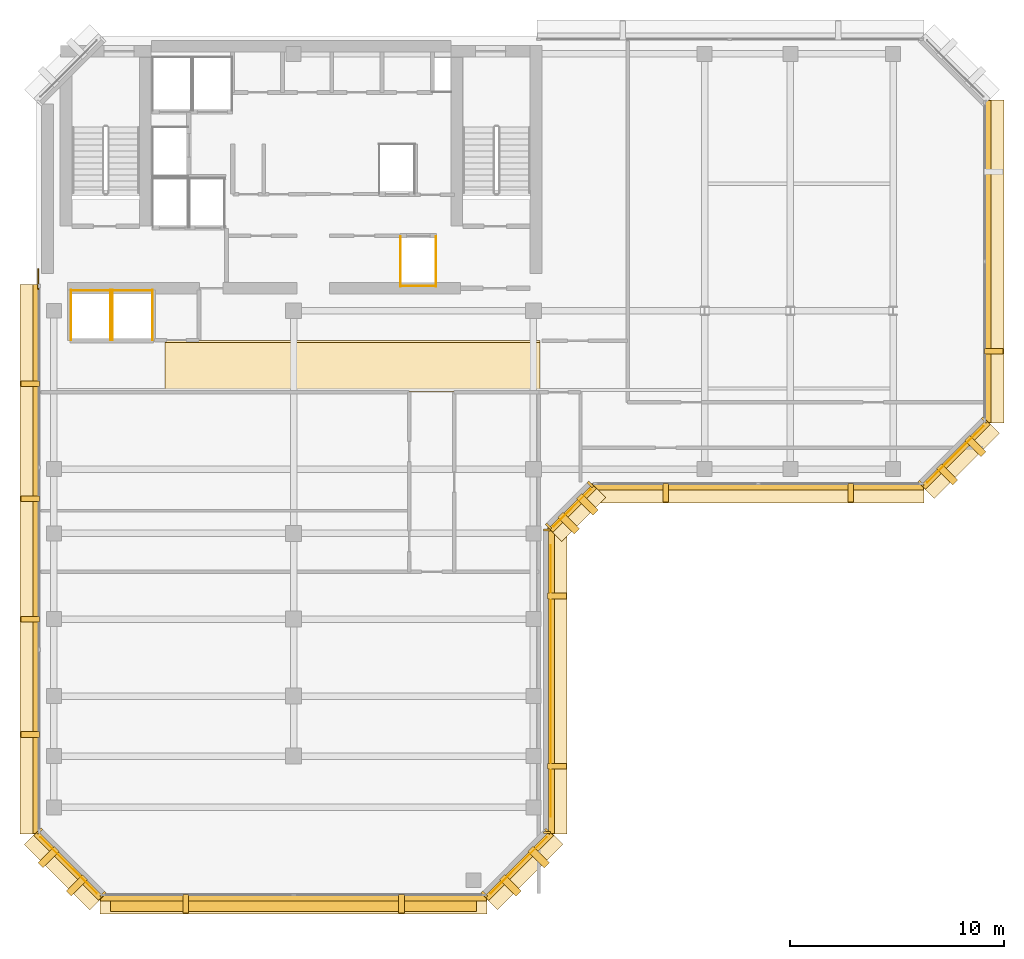
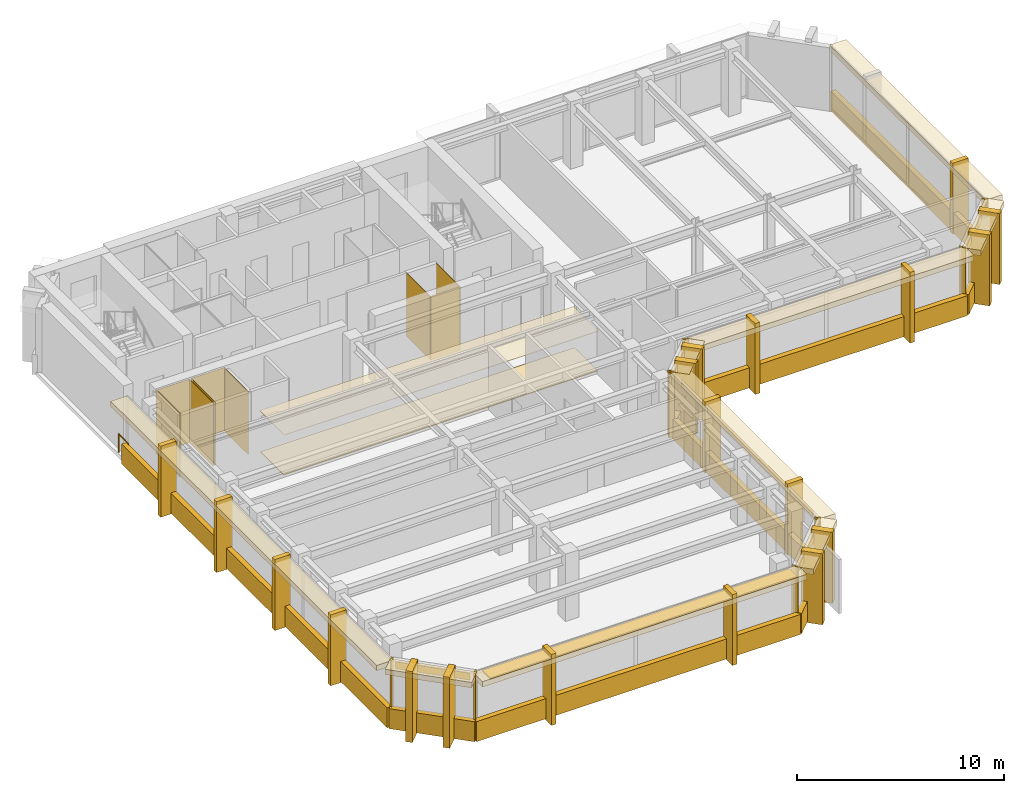
# One storey, part 9 of 11: 63 coverings, 1 railing, 1 shading device.
"""IFC4 building model written with IfcOpenShell, lengths in metres."""

from ifc_helpers import new_model, si_unit, direction, frame, origin, origin_2d, place, context, subcontext, project, spatial, polyline, rectangle, circle, outline, extrude, material, layer, layer_set, type_object, element, save


model = new_model("IFC4")

# Units and contexts
model_context = context("Model", 3, precision=1e-05, world=origin(), true_north=direction((0.0, 1.0)))
body_context = subcontext(model_context, "Body", "Model", "MODEL_VIEW")
ifc_project = project(units=[si_unit("LENGTHUNIT", "METRE"), si_unit("AREAUNIT", "SQUARE_METRE"), si_unit("VOLUMEUNIT", "CUBIC_METRE"), si_unit("PLANEANGLEUNIT", "RADIAN"), si_unit("MASSUNIT", "GRAM", prefix="KILO")], contexts=[model_context])

# Site, building, storey
site_placement = place(None, origin())
site = spatial("IfcSite", under=ifc_project, at=site_placement, CompositionType="ELEMENT")
building_placement = place(site_placement, origin())
building = spatial("IfcBuilding", under=site, at=building_placement, Name="Kefirva Bronze Tower", CompositionType="ELEMENT")
storey_placement = place(building_placement, frame((0.0, 0.0, 319.77001953125)))
storey = spatial("IfcBuildingStorey", under=building, at=storey_placement, Name="L78", CompositionType="ELEMENT", Elevation=319.77001953125)

# Coverings
ifc_material_1 = material(Name="Acoustic mineral tile")
ifc_layer_1 = layer(ifc_material_1, 0.02490234375, Name="Acoustic mineral tile")
ifc_layer_set_1 = layer_set([ifc_layer_1], Name="Acoustic mineral tile")
covering_type_1 = type_object("IfcCoveringType", Name="Acoustic Mineral Suspended Ceiling 25mm", PredefinedType="CEILING", material=ifc_layer_set_1)
covering_1_placement = place(storey_placement, frame((0.0, 0.0, 2.39990234375)))
element("IfcCovering", 1, at=covering_1_placement, inside=storey, type_object=covering_type_1, Name="L78 Corridor Acoustic Ceiling", PredefinedType="CEILING", context=body_context, shape_type="SweptSolid", body=[
    extrude(outline(polyline([(6.0, 29.39990234375), (23.5, 29.39990234375), (23.5, 31.800048828125), (6.0, 31.800048828125), (6.0, 29.39990234375)])), origin(), (0.0, 0.0, 1.0), 0.025146484375),
])
ifc_material_2 = material(Name="Bronze anodised aluminium", Category="aluminium")
ifc_layer_2 = layer(ifc_material_2, 0.02001953125, Name="Bronze anodised aluminium")
ifc_layer_set_2 = layer_set([ifc_layer_2], Name="Bronze anodised aluminium")
covering_type_2 = type_object("IfcCoveringType", Name="Anodised Bronze Spandrel Cladding 20mm", PredefinedType="CLADDING", material=ifc_layer_set_2)
covering_2_placement = place(storey_placement, frame((12.0, 5.760009765625, -0.16015625), z_axis=(0.0, 0.0, 1.0), x_axis=(1.0, 0.0, 0.0)))
element("IfcCovering", 2, at=covering_2_placement, inside=storey, type_object=covering_type_2, Name="L78 Streamline Horizontal Spandrel Band 0", PredefinedType="CLADDING", context=body_context, shape_type="SweptSolid", body=[
    extrude(rectangle(XDim=18.0400390625, YDim=0.280029296875, at=origin_2d()), origin(), (0.0, 0.0, 1.0), 1.179931640625),
])
covering_3_placement = place(storey_placement, frame((22.507080078125, 7.29296875, 3.320068359375), z_axis=(0.0, 0.0, 1.0), x_axis=(0.707106781187, 0.707106781187, 0.0)))
element("IfcCovering", 3, at=covering_3_placement, inside=storey, type_object=covering_type_2, Name="L78 Bronze Spandrel Cladding 1", PredefinedType="CLADDING", context=body_context, shape_type="SweptSolid", body=[
    extrude(rectangle(XDim=3.719482421875, YDim=0.02001953125, at=origin_2d()), origin(), (0.0, 0.0, 1.0), 0.39990234375),
])
for number, where, z_axis, x_axis, name in (
    (4, (20.91162109375, 5.93798828125, 0.0), (0.0, 0.0, 1.0), (0.707106781187, 0.707106781187, 0.0), "L78 Facade Joint Closure Panel 1S"),
    (5, (23.862060546875, 8.88818359375, 0.0), (0.0, 0.0, 1.0), (0.707106781187, 0.707106781187, 0.0), "L78 Facade Joint Closure Panel 1E"),
):
    element("IfcCovering", number, at=place(storey_placement, frame(where, z_axis=z_axis, x_axis=x_axis)), inside=storey, type_object=covering_type_2, Name=name, PredefinedType="CLADDING", context=body_context, shape_type="SweptSolid", body=[
        extrude(rectangle(XDim=0.10009765625, YDim=0.320068359375, at=origin_2d()), origin(), (0.0, 0.0, 1.0), 3.739990234375),
    ])
covering_4_placement = place(storey_placement, frame((22.5283203125, 7.271728515625, -0.16015625), z_axis=(0.0, 0.0, 1.0), x_axis=(0.707106781187, 0.707106781187, 0.0)))
element("IfcCovering", 6, at=covering_4_placement, inside=storey, type_object=covering_type_2, Name="L78 Streamline Horizontal Spandrel Band 1", PredefinedType="CLADDING", context=body_context, shape_type="SweptSolid", body=[
    extrude(rectangle(XDim=4.28271484375, YDim=0.280029296875, at=origin_2d()), origin(), (0.0, 0.0, 1.0), 1.179931640625),
])
covering_5_placement = place(storey_placement, frame((24.010009765625, 15.89990234375, 3.320068359375), z_axis=(0.0, 0.0, 1.0), x_axis=(0.0, 1.0, 0.0)))
element("IfcCovering", 7, at=covering_5_placement, inside=storey, type_object=covering_type_2, Name="L78 Bronze Spandrel Cladding 2", PredefinedType="CLADDING", context=body_context, shape_type="SweptSolid", body=[
    extrude(rectangle(XDim=12.680908203125, YDim=0.02001953125, at=origin_2d()), origin(), (0.0, 0.0, 1.0), 0.39990234375),
])
for number, where, z_axis, x_axis, name in (
    (8, (23.840087890625, 8.8349609375, 0.0), (0.0, 0.0, 1.0), (0.0, 1.0, 0.0), "L78 Facade Joint Closure Panel 2S"),
    (9, (23.840087890625, 22.965087890625, 0.0), (0.0, 0.0, 1.0), (0.0, 1.0, 0.0), "L78 Facade Joint Closure Panel 2E"),
):
    element("IfcCovering", number, at=place(storey_placement, frame(where, z_axis=z_axis, x_axis=x_axis)), inside=storey, type_object=covering_type_2, Name=name, PredefinedType="CLADDING", context=body_context, shape_type="SweptSolid", body=[
        extrude(rectangle(XDim=0.10009765625, YDim=0.320068359375, at=origin_2d()), origin(), (0.0, 0.0, 1.0), 3.739990234375),
    ])
covering_6_placement = place(storey_placement, frame((24.0400390625, 15.89990234375, -0.16015625), z_axis=(0.0, 0.0, 1.0), x_axis=(0.0, 1.0, 0.0)))
element("IfcCovering", 10, at=covering_6_placement, inside=storey, type_object=covering_type_2, Name="L78 Streamline Horizontal Spandrel Band 2", PredefinedType="CLADDING", context=body_context, shape_type="SweptSolid", body=[
    extrude(rectangle(XDim=14.239990234375, YDim=0.280029296875, at=origin_2d()), origin(), (0.0, 0.0, 1.0), 1.179931640625),
])
covering_7_placement = place(storey_placement, frame((25.007080078125, 23.992919921875, 3.320068359375), z_axis=(0.0, 0.0, 1.0), x_axis=(0.707106781187, 0.707106781187, 0.0)))
element("IfcCovering", 11, at=covering_7_placement, inside=storey, type_object=covering_type_2, Name="L78 Bronze Spandrel Cladding 3", PredefinedType="CLADDING", context=body_context, shape_type="SweptSolid", body=[
    extrude(rectangle(XDim=2.446533203125, YDim=0.02001953125, at=origin_2d()), origin(), (0.0, 0.0, 1.0), 0.39990234375),
])
for number, where, z_axis, x_axis, name in (
    (12, (23.91162109375, 23.137939453125, 0.0), (0.0, 0.0, 1.0), (0.707106781187, 0.707106781187, 0.0), "L78 Facade Joint Closure Panel 3S"),
    (13, (25.862060546875, 25.08837890625, 0.0), (0.0, 0.0, 1.0), (0.707106781187, 0.707106781187, 0.0), "L78 Facade Joint Closure Panel 3E"),
):
    element("IfcCovering", number, at=place(storey_placement, frame(where, z_axis=z_axis, x_axis=x_axis)), inside=storey, type_object=covering_type_2, Name=name, PredefinedType="CLADDING", context=body_context, shape_type="SweptSolid", body=[
        extrude(rectangle(XDim=0.10009765625, YDim=0.320068359375, at=origin_2d()), origin(), (0.0, 0.0, 1.0), 3.739990234375),
    ])
covering_8_placement = place(storey_placement, frame((25.0283203125, 23.9716796875, -0.16015625), z_axis=(0.0, 0.0, 1.0), x_axis=(0.707106781187, 0.707106781187, 0.0)))
element("IfcCovering", 14, at=covering_8_placement, inside=storey, type_object=covering_type_2, Name="L78 Streamline Horizontal Spandrel Band 3", PredefinedType="CLADDING", context=body_context, shape_type="SweptSolid", body=[
    extrude(rectangle(XDim=2.868408203125, YDim=0.280029296875, at=origin_2d()), origin(), (0.0, 0.0, 1.0), 1.179931640625),
])
covering_9_placement = place(storey_placement, frame((33.699951171875, 24.9599609375, -0.16015625), z_axis=(0.0, 0.0, 1.0), x_axis=(1.0, 0.0, 0.0)))
element("IfcCovering", 15, at=covering_9_placement, inside=storey, type_object=covering_type_2, Name="L78 Streamline Horizontal Spandrel Band 4", PredefinedType="CLADDING", context=body_context, shape_type="SweptSolid", body=[
    extrude(rectangle(XDim=15.43994140625, YDim=0.280029296875, at=origin_2d()), origin(), (0.0, 0.0, 1.0), 1.179931640625),
])
covering_10_placement = place(storey_placement, frame((42.906982421875, 26.492919921875, 3.320068359375), z_axis=(0.0, 0.0, 1.0), x_axis=(0.707106781187, 0.707106781187, 0.0)))
element("IfcCovering", 16, at=covering_10_placement, inside=storey, type_object=covering_type_2, Name="L78 Bronze Spandrel Cladding 4", PredefinedType="CLADDING", context=body_context, shape_type="SweptSolid", body=[
    extrude(rectangle(XDim=3.719482421875, YDim=0.02001953125, at=origin_2d()), origin(), (0.0, 0.0, 1.0), 0.39990234375),
])
for number, where, z_axis, x_axis, name in (
    (17, (41.311767578125, 25.137939453125, 0.0), (0.0, 0.0, 1.0), (0.707106781187, 0.707106781187, 0.0), "L78 Facade Joint Closure Panel 4S"),
    (18, (44.26220703125, 28.08837890625, 0.0), (0.0, 0.0, 1.0), (0.707106781187, 0.707106781187, 0.0), "L78 Facade Joint Closure Panel 4E"),
):
    element("IfcCovering", number, at=place(storey_placement, frame(where, z_axis=z_axis, x_axis=x_axis)), inside=storey, type_object=covering_type_2, Name=name, PredefinedType="CLADDING", context=body_context, shape_type="SweptSolid", body=[
        extrude(rectangle(XDim=0.10009765625, YDim=0.320068359375, at=origin_2d()), origin(), (0.0, 0.0, 1.0), 3.739990234375),
    ])
covering_11_placement = place(storey_placement, frame((42.92822265625, 26.4716796875, -0.16015625), z_axis=(0.0, 0.0, 1.0), x_axis=(0.707106781187, 0.707106781187, 0.0)))
element("IfcCovering", 19, at=covering_11_placement, inside=storey, type_object=covering_type_2, Name="L78 Streamline Horizontal Spandrel Band 5", PredefinedType="CLADDING", context=body_context, shape_type="SweptSolid", body=[
    extrude(rectangle(XDim=4.28271484375, YDim=0.280029296875, at=origin_2d()), origin(), (0.0, 0.0, 1.0), 1.179931640625),
])
covering_12_placement = place(storey_placement, frame((44.43994140625, 35.5, -0.16015625), z_axis=(0.0, 0.0, 1.0), x_axis=(0.0, 1.0, 0.0)))
element("IfcCovering", 20, at=covering_12_placement, inside=storey, type_object=covering_type_2, Name="L78 Streamline Horizontal Spandrel Band 6", PredefinedType="CLADDING", context=body_context, shape_type="SweptSolid", body=[
    extrude(rectangle(XDim=15.0400390625, YDim=0.280029296875, at=origin_2d()), origin(), (0.0, 0.0, 1.0), 1.179931640625),
])
covering_13_placement = place(storey_placement, frame((-0.0400390625, 21.597412109375, -0.16015625), z_axis=(0.0, 0.0, 1.0), x_axis=(0.0, -1.0, 0.0)))
element("IfcCovering", 21, at=covering_13_placement, inside=storey, type_object=covering_type_2, Name="L78 Streamline Horizontal Spandrel Band 10", PredefinedType="CLADDING", context=body_context, shape_type="SweptSolid", body=[
    extrude(rectangle(XDim=25.635009765625, YDim=0.280029296875, at=origin_2d()), origin(), (0.0, 0.0, 1.0), 1.179931640625),
])
covering_14_placement = place(storey_placement, frame((1.492919921875, 7.29296875, 3.320068359375), z_axis=(0.0, 0.0, 1.0), x_axis=(0.707106781187, -0.707106781187, 0.0)))
element("IfcCovering", 22, at=covering_14_placement, inside=storey, type_object=covering_type_2, Name="L78 Bronze Spandrel Cladding 7", PredefinedType="CLADDING", context=body_context, shape_type="SweptSolid", body=[
    extrude(rectangle(XDim=3.719482421875, YDim=0.02001953125, at=origin_2d()), origin(), (0.0, 0.0, 1.0), 0.39990234375),
])
for number, where, z_axis, x_axis, name in (
    (23, (0.137939453125, 8.88818359375, 0.0), (0.0, 0.0, 1.0), (0.707106781187, -0.707106781187, 0.0), "L78 Facade Joint Closure Panel 7S"),
    (24, (3.08837890625, 5.93798828125, 0.0), (0.0, 0.0, 1.0), (0.707106781187, -0.707106781187, 0.0), "L78 Facade Joint Closure Panel 7E"),
):
    element("IfcCovering", number, at=place(storey_placement, frame(where, z_axis=z_axis, x_axis=x_axis)), inside=storey, type_object=covering_type_2, Name=name, PredefinedType="CLADDING", context=body_context, shape_type="SweptSolid", body=[
        extrude(rectangle(XDim=0.10009765625, YDim=0.320068359375, at=origin_2d()), origin(), (0.0, 0.0, 1.0), 3.739990234375),
    ])
covering_15_placement = place(storey_placement, frame((1.4716796875, 7.271728515625, -0.16015625), z_axis=(0.0, 0.0, 1.0), x_axis=(0.707106781187, -0.707106781187, 0.0)))
element("IfcCovering", 25, at=covering_15_placement, inside=storey, type_object=covering_type_2, Name="L78 Streamline Horizontal Spandrel Band 11", PredefinedType="CLADDING", context=body_context, shape_type="SweptSolid", body=[
    extrude(rectangle(XDim=4.28271484375, YDim=0.280029296875, at=origin_2d()), origin(), (0.0, 0.0, 1.0), 1.179931640625),
])
covering_16_placement = place(storey_placement, origin())
element("IfcCovering", 26, at=covering_16_placement, inside=storey, type_object=covering_type_2, Name="L78 Lift OB1 Hoistway Liner N", PredefinedType="CLADDING", context=body_context, shape_type="SweptSolid", body=[
    extrude(outline(polyline([(1.580078125, 34.139892578125), (3.469970703125, 34.139892578125), (3.469970703125, 34.159912109375), (1.580078125, 34.159912109375), (1.580078125, 34.139892578125)])), origin(), (0.0, 0.0, 1.0), 3.739990234375),
])
covering_17_placement = place(storey_placement, origin())
element("IfcCovering", 27, at=covering_17_placement, inside=storey, type_object=covering_type_2, Name="L78 Lift OB1 Hoistway Liner W", PredefinedType="CLADDING", context=body_context, shape_type="SweptSolid", body=[
    extrude(outline(polyline([(1.590087890625, 31.830078125), (1.610107421875, 31.830078125), (1.610107421875, 34.169921875), (1.590087890625, 34.169921875), (1.590087890625, 31.830078125)])), origin(), (0.0, 0.0, 1.0), 3.739990234375),
])
covering_18_placement = place(storey_placement, origin())
element("IfcCovering", 28, at=covering_18_placement, inside=storey, type_object=covering_type_2, Name="L78 Lift OB1 Hoistway Liner E", PredefinedType="CLADDING", context=body_context, shape_type="SweptSolid", body=[
    extrude(outline(polyline([(3.43994140625, 31.830078125), (3.4599609375, 31.830078125), (3.4599609375, 34.169921875), (3.43994140625, 34.169921875), (3.43994140625, 31.830078125)])), origin(), (0.0, 0.0, 1.0), 3.739990234375),
])
covering_19_placement = place(storey_placement, origin())
element("IfcCovering", 29, at=covering_19_placement, inside=storey, type_object=covering_type_2, Name="L78 Lift OB2 Hoistway Liner N", PredefinedType="CLADDING", context=body_context, shape_type="SweptSolid", body=[
    extrude(outline(polyline([(3.530029296875, 34.139892578125), (5.419921875, 34.139892578125), (5.419921875, 34.159912109375), (3.530029296875, 34.159912109375), (3.530029296875, 34.139892578125)])), origin(), (0.0, 0.0, 1.0), 3.739990234375),
])
covering_20_placement = place(storey_placement, origin())
element("IfcCovering", 30, at=covering_20_placement, inside=storey, type_object=covering_type_2, Name="L78 Lift OB2 Hoistway Liner W", PredefinedType="CLADDING", context=body_context, shape_type="SweptSolid", body=[
    extrude(outline(polyline([(3.5400390625, 31.830078125), (3.56005859375, 31.830078125), (3.56005859375, 34.169921875), (3.5400390625, 34.169921875), (3.5400390625, 31.830078125)])), origin(), (0.0, 0.0, 1.0), 3.739990234375),
])
covering_21_placement = place(storey_placement, origin())
element("IfcCovering", 31, at=covering_21_placement, inside=storey, type_object=covering_type_2, Name="L78 Lift OB2 Hoistway Liner E", PredefinedType="CLADDING", context=body_context, shape_type="SweptSolid", body=[
    extrude(outline(polyline([(5.389892578125, 31.830078125), (5.409912109375, 31.830078125), (5.409912109375, 34.169921875), (5.389892578125, 34.169921875), (5.389892578125, 31.830078125)])), origin(), (0.0, 0.0, 1.0), 3.739990234375),
])
covering_22_placement = place(storey_placement, origin())
element("IfcCovering", 32, at=covering_22_placement, inside=storey, type_object=covering_type_2, Name="L78 Lift HP1 Hoistway Liner S", PredefinedType="CLADDING", context=body_context, shape_type="SweptSolid", body=[
    extrude(outline(polyline([(16.97998046875, 34.340087890625), (18.669921875, 34.340087890625), (18.669921875, 34.360107421875), (16.97998046875, 34.360107421875), (16.97998046875, 34.340087890625)])), origin(), (0.0, 0.0, 1.0), 3.739990234375),
])
covering_23_placement = place(storey_placement, origin())
element("IfcCovering", 33, at=covering_23_placement, inside=storey, type_object=covering_type_2, Name="L78 Lift HP1 Hoistway Liner W", PredefinedType="CLADDING", context=body_context, shape_type="SweptSolid", body=[
    extrude(outline(polyline([(16.989990234375, 34.330078125), (17.010009765625, 34.330078125), (17.010009765625, 36.669921875), (16.989990234375, 36.669921875), (16.989990234375, 34.330078125)])), origin(), (0.0, 0.0, 1.0), 3.739990234375),
])
covering_24_placement = place(storey_placement, origin())
element("IfcCovering", 34, at=covering_24_placement, inside=storey, type_object=covering_type_2, Name="L78 Lift HP1 Hoistway Liner E", PredefinedType="CLADDING", context=body_context, shape_type="SweptSolid", body=[
    extrude(outline(polyline([(18.639892578125, 34.330078125), (18.659912109375, 34.330078125), (18.659912109375, 36.669921875), (18.639892578125, 36.669921875), (18.639892578125, 34.330078125)])), origin(), (0.0, 0.0, 1.0), 3.739990234375),
])

# Shading device
ifc_layer_3 = layer(ifc_material_2, 0.090087890625, Name="Bronze anodised aluminium")
ifc_layer_set_3 = layer_set([ifc_layer_3], Name="Bronze anodised aluminium")
shading_device_type = type_object("IfcShadingDeviceType", Name="Horizontal Bronze Sunshade Band 750mm", PredefinedType="JALOUSIE", material=ifc_layer_set_3)
shading_device_placement = place(storey_placement, frame((12.0, 5.5048828125, 3.634765625), z_axis=(0.0, 0.0, 1.0), x_axis=(1.0, 0.0, 0.0)))
element("IfcShadingDevice", 35, at=shading_device_placement, inside=storey, type_object=shading_device_type, Name="L78 Horizontal Bronze Sunshade Band 0", PredefinedType="JALOUSIE", context=body_context, shape_type="SweptSolid", body=[
    extrude(rectangle(XDim=17.090087890625, YDim=0.75, at=origin_2d()), origin(), (0.0, 0.0, 1.0), 0.090087890625),
])

# Railing
ifc_material_3 = material(Name="Stainless steel 316", Category="steel")
railing_type = type_object("IfcRailingType", Name="Interior Stair Guardrail 1100mm", PredefinedType="GUARDRAIL", material=ifc_material_3)
railing_placement = place(storey_placement, frame((0.080078125, 34.199951171875, 0.0)))
element("IfcRailing", 36, at=railing_placement, inside=storey, type_object=railing_type, Name="L78 West Core Junction Guardrail", PredefinedType="GUARDRAIL", context=body_context, shape_type="SweptSolid", body=[
    extrude(circle(Radius=0.02392578125, at=origin_2d()), frame((0.0, 0.0, 1.076171875), z_axis=(0.0, 1.0, 0.0), x_axis=(-1.0, 0.0, 0.0)), (0.0, 0.0, 1.0), 0.949951171875),
    extrude(circle(Radius=0.02099609375, at=origin_2d()), origin(), (0.0, 0.0, 1.0), 1.052001953125),
    extrude(circle(Radius=0.02099609375, at=origin_2d()), frame((0.0, 0.949951171875, 0.0)), (0.0, 0.0, 1.0), 1.052001953125),
])

# Coverings
ifc_material_4 = material(Name="Calcium sulphate access tile")
ifc_layer_4 = layer(ifc_material_4, 0.044921875, Name="Calcium sulphate access tile")
ifc_layer_set_4 = layer_set([ifc_layer_4], Name="Calcium sulphate access tile")
covering_type_3 = type_object("IfcCoveringType", Name="Raised Access Office Flooring 45mm", PredefinedType="FLOORING", material=ifc_layer_set_4)
covering_25_placement = place(storey_placement, origin())
element("IfcCovering", 37, at=covering_25_placement, inside=storey, type_object=covering_type_3, Name="L78 Architectural Finish Flooring", PredefinedType="FLOORING", context=body_context, shape_type="SweptSolid", body=[
    extrude(outline(polyline([(6.0, 29.47998046875), (23.5, 29.47998046875), (23.5, 31.719970703125), (6.0, 31.719970703125), (6.0, 29.47998046875)])), origin(), (0.0, 0.0, 1.0), 0.044921875),
])
ifc_layer_5 = layer(ifc_material_2, 0.179931640625, Name="Bronze anodised aluminium")
ifc_layer_set_5 = layer_set([ifc_layer_5], Name="Bronze anodised aluminium")
covering_type_4 = type_object("IfcCoveringType", Name="Streamline Bronze Sunshade Eyebrow Cladding 180mm", PredefinedType="CLADDING", material=ifc_layer_set_5)
covering_26_placement = place(storey_placement, frame((12.0, 5.489990234375, 3.419921875), z_axis=(0.0, 0.0, 1.0), x_axis=(1.0, 0.0, 0.0)))
element("IfcCovering", 38, at=covering_26_placement, inside=storey, type_object=covering_type_4, Name="L78 Streamline Bronze Sunshade Eyebrow 0", PredefinedType="CLADDING", context=body_context, shape_type="SweptSolid", body=[
    extrude(rectangle(XDim=18.080078125, YDim=0.93994140625, at=origin_2d()), origin(), (0.0, 0.0, 1.0), 0.320068359375),
])
covering_27_placement = place(storey_placement, frame((22.71923828125, 7.080810546875, 3.419921875), z_axis=(0.0, 0.0, 1.0), x_axis=(0.707106781187, 0.707106781187, 0.0)))
element("IfcCovering", 39, at=covering_27_placement, inside=storey, type_object=covering_type_4, Name="L78 Streamline Bronze Sunshade Eyebrow 1", PredefinedType="CLADDING", context=body_context, shape_type="SweptSolid", body=[
    extrude(rectangle(XDim=4.322509765625, YDim=0.93994140625, at=origin_2d()), origin(), (0.0, 0.0, 1.0), 0.320068359375),
])
covering_28_placement = place(storey_placement, frame((24.31005859375, 15.89990234375, 3.419921875), z_axis=(0.0, 0.0, 1.0), x_axis=(0.0, 1.0, 0.0)))
element("IfcCovering", 40, at=covering_28_placement, inside=storey, type_object=covering_type_4, Name="L78 Streamline Bronze Sunshade Eyebrow 2", PredefinedType="CLADDING", context=body_context, shape_type="SweptSolid", body=[
    extrude(rectangle(XDim=14.280029296875, YDim=0.93994140625, at=origin_2d()), origin(), (0.0, 0.0, 1.0), 0.320068359375),
])
covering_29_placement = place(storey_placement, frame((25.21923828125, 23.78076171875, 3.419921875), z_axis=(0.0, 0.0, 1.0), x_axis=(0.707106781187, 0.707106781187, 0.0)))
element("IfcCovering", 41, at=covering_29_placement, inside=storey, type_object=covering_type_4, Name="L78 Streamline Bronze Sunshade Eyebrow 3", PredefinedType="CLADDING", context=body_context, shape_type="SweptSolid", body=[
    extrude(rectangle(XDim=2.908447265625, YDim=0.93994140625, at=origin_2d()), origin(), (0.0, 0.0, 1.0), 0.320068359375),
])
covering_30_placement = place(storey_placement, frame((33.699951171875, 24.68994140625, 3.419921875), z_axis=(0.0, 0.0, 1.0), x_axis=(1.0, 0.0, 0.0)))
element("IfcCovering", 42, at=covering_30_placement, inside=storey, type_object=covering_type_4, Name="L78 Streamline Bronze Sunshade Eyebrow 4", PredefinedType="CLADDING", context=body_context, shape_type="SweptSolid", body=[
    extrude(rectangle(XDim=15.47998046875, YDim=0.93994140625, at=origin_2d()), origin(), (0.0, 0.0, 1.0), 0.320068359375),
])
covering_31_placement = place(storey_placement, frame((43.119140625, 26.28076171875, 3.419921875), z_axis=(0.0, 0.0, 1.0), x_axis=(0.707106781187, 0.707106781187, 0.0)))
element("IfcCovering", 43, at=covering_31_placement, inside=storey, type_object=covering_type_4, Name="L78 Streamline Bronze Sunshade Eyebrow 5", PredefinedType="CLADDING", context=body_context, shape_type="SweptSolid", body=[
    extrude(rectangle(XDim=4.322509765625, YDim=0.93994140625, at=origin_2d()), origin(), (0.0, 0.0, 1.0), 0.320068359375),
])
covering_32_placement = place(storey_placement, frame((44.7099609375, 35.5, 3.419921875), z_axis=(0.0, 0.0, 1.0), x_axis=(0.0, 1.0, 0.0)))
element("IfcCovering", 44, at=covering_32_placement, inside=storey, type_object=covering_type_4, Name="L78 Streamline Bronze Sunshade Eyebrow 6", PredefinedType="CLADDING", context=body_context, shape_type="SweptSolid", body=[
    extrude(rectangle(XDim=15.080078125, YDim=0.93994140625, at=origin_2d()), origin(), (0.0, 0.0, 1.0), 0.320068359375),
])
covering_33_placement = place(storey_placement, frame((-0.31005859375, 21.597412109375, 3.419921875), z_axis=(0.0, 0.0, 1.0), x_axis=(0.0, -1.0, 0.0)))
element("IfcCovering", 45, at=covering_33_placement, inside=storey, type_object=covering_type_4, Name="L78 Streamline Bronze Sunshade Eyebrow 10", PredefinedType="CLADDING", context=body_context, shape_type="SweptSolid", body=[
    extrude(rectangle(XDim=25.675048828125, YDim=0.93994140625, at=origin_2d()), origin(), (0.0, 0.0, 1.0), 0.320068359375),
])
covering_34_placement = place(storey_placement, frame((1.28076171875, 7.080810546875, 3.419921875), z_axis=(0.0, 0.0, 1.0), x_axis=(0.707106781187, -0.707106781187, 0.0)))
element("IfcCovering", 46, at=covering_34_placement, inside=storey, type_object=covering_type_4, Name="L78 Streamline Bronze Sunshade Eyebrow 11", PredefinedType="CLADDING", context=body_context, shape_type="SweptSolid", body=[
    extrude(rectangle(XDim=4.322509765625, YDim=0.93994140625, at=origin_2d()), origin(), (0.0, 0.0, 1.0), 0.320068359375),
])
ifc_layer_6 = layer(ifc_material_2, 0.260009765625, Name="Bronze anodised aluminium")
ifc_layer_set_6 = layer_set([ifc_layer_6], Name="Bronze anodised aluminium")
covering_type_5 = type_object("IfcCoveringType", Name="Unbroken Bronze Buttress Fin Cladding 260mm", PredefinedType="CLADDING", material=ifc_layer_set_6)
for number, where, z_axis, x_axis, name in (
    (47, (6.9599609375, 5.5, -0.22021484375), (0.0, 0.0, 1.0), (1.0, 0.0, 0.0), "L78 Unbroken Vertical Bronze Rib Fin 1"),
    (48, (17.0400390625, 5.5, -0.22021484375), (0.0, 0.0, 1.0), (1.0, 0.0, 0.0), "L78 Unbroken Vertical Bronze Rib Fin 2"),
):
    element("IfcCovering", number, at=place(storey_placement, frame(where, z_axis=z_axis, x_axis=x_axis)), inside=storey, type_object=covering_type_5, Name=name, PredefinedType="CLADDING", context=body_context, shape_type="SweptSolid", body=[
        extrude(rectangle(XDim=0.260009765625, YDim=0.8798828125, at=origin_2d()), origin(), (0.0, 0.0, 1.0), 4.179931640625),
    ])
for number, where, z_axis, x_axis, name in (
    (49, (22.122802734375, 6.357177734375, -0.22021484375), (0.0, 0.0, 1.0), (0.707106781187, 0.707106781187, 0.0), "L78 Chamfered Corner Buttress Fin Cladding 3"),
    (50, (23.44287109375, 7.67724609375, -0.22021484375), (0.0, 0.0, 1.0), (0.707106781187, 0.707106781187, 0.0), "L78 Chamfered Corner Buttress Fin Cladding 4"),
):
    element("IfcCovering", number, at=place(storey_placement, frame(where, z_axis=z_axis, x_axis=x_axis)), inside=storey, type_object=covering_type_5, Name=name, PredefinedType="CLADDING", context=body_context, shape_type="SweptSolid", body=[
        extrude(rectangle(XDim=0.340087890625, YDim=1.080078125, at=origin_2d()), origin(), (0.0, 0.0, 1.0), 4.179931640625),
    ])
for number, where, z_axis, x_axis, name in (
    (51, (24.300048828125, 11.924072265625, -0.22021484375), (0.0, 0.0, 1.0), (0.0, 1.0, 0.0), "L78 Unbroken Vertical Bronze Rib Fin 5"),
    (52, (24.300048828125, 19.8759765625, -0.22021484375), (0.0, 0.0, 1.0), (0.0, 1.0, 0.0), "L78 Unbroken Vertical Bronze Rib Fin 6"),
):
    element("IfcCovering", number, at=place(storey_placement, frame(where, z_axis=z_axis, x_axis=x_axis)), inside=storey, type_object=covering_type_5, Name=name, PredefinedType="CLADDING", context=body_context, shape_type="SweptSolid", body=[
        extrude(rectangle(XDim=0.260009765625, YDim=0.8798828125, at=origin_2d()), origin(), (0.0, 0.0, 1.0), 4.179931640625),
    ])
for number, where, z_axis, x_axis, name in (
    (53, (24.8427734375, 23.277099609375, -0.22021484375), (0.0, 0.0, 1.0), (0.707106781187, 0.707106781187, 0.0), "L78 Chamfered Corner Buttress Fin Cladding 7"),
    (54, (25.722900390625, 24.1572265625, -0.22021484375), (0.0, 0.0, 1.0), (0.707106781187, 0.707106781187, 0.0), "L78 Chamfered Corner Buttress Fin Cladding 8"),
):
    element("IfcCovering", number, at=place(storey_placement, frame(where, z_axis=z_axis, x_axis=x_axis)), inside=storey, type_object=covering_type_5, Name=name, PredefinedType="CLADDING", context=body_context, shape_type="SweptSolid", body=[
        extrude(rectangle(XDim=0.340087890625, YDim=1.080078125, at=origin_2d()), origin(), (0.0, 0.0, 1.0), 4.179931640625),
    ])
for number, where, z_axis, x_axis, name in (
    (55, (29.387939453125, 24.699951171875, -0.22021484375), (0.0, 0.0, 1.0), (1.0, 0.0, 0.0), "L78 Unbroken Vertical Bronze Rib Fin 9"),
    (56, (38.011962890625, 24.699951171875, -0.22021484375), (0.0, 0.0, 1.0), (1.0, 0.0, 0.0), "L78 Unbroken Vertical Bronze Rib Fin 10"),
):
    element("IfcCovering", number, at=place(storey_placement, frame(where, z_axis=z_axis, x_axis=x_axis)), inside=storey, type_object=covering_type_5, Name=name, PredefinedType="CLADDING", context=body_context, shape_type="SweptSolid", body=[
        extrude(rectangle(XDim=0.260009765625, YDim=0.8798828125, at=origin_2d()), origin(), (0.0, 0.0, 1.0), 4.179931640625),
    ])
for number, where, z_axis, x_axis, name in (
    (57, (42.522705078125, 25.55712890625, -0.22021484375), (0.0, 0.0, 1.0), (0.707106781187, 0.707106781187, 0.0), "L78 Chamfered Corner Buttress Fin Cladding 11"),
    (58, (43.8427734375, 26.877197265625, -0.22021484375), (0.0, 0.0, 1.0), (0.707106781187, 0.707106781187, 0.0), "L78 Chamfered Corner Buttress Fin Cladding 12"),
):
    element("IfcCovering", number, at=place(storey_placement, frame(where, z_axis=z_axis, x_axis=x_axis)), inside=storey, type_object=covering_type_5, Name=name, PredefinedType="CLADDING", context=body_context, shape_type="SweptSolid", body=[
        extrude(rectangle(XDim=0.340087890625, YDim=1.080078125, at=origin_2d()), origin(), (0.0, 0.0, 1.0), 4.179931640625),
    ])
for number, where, z_axis, x_axis, name in (
    (59, (44.699951171875, 31.300048828125, -0.22021484375), (0.0, 0.0, 1.0), (0.0, 1.0, 0.0), "L78 Unbroken Vertical Bronze Rib Fin 13"),
    (60, (-0.300048828125, 29.787841796875, -0.22021484375), (0.0, 0.0, 1.0), (0.0, -1.0, 0.0), "L78 Unbroken Vertical Bronze Rib Fin 21"),
    (61, (-0.300048828125, 24.4130859375, -0.22021484375), (0.0, 0.0, 1.0), (0.0, -1.0, 0.0), "L78 Unbroken Vertical Bronze Rib Fin 22"),
    (62, (-0.300048828125, 18.781982421875, -0.22021484375), (0.0, 0.0, 1.0), (0.0, -1.0, 0.0), "L78 Unbroken Vertical Bronze Rib Fin 23"),
    (63, (-0.300048828125, 13.406982421875, -0.22021484375), (0.0, 0.0, 1.0), (0.0, -1.0, 0.0), "L78 Unbroken Vertical Bronze Rib Fin 24"),
):
    element("IfcCovering", number, at=place(storey_placement, frame(where, z_axis=z_axis, x_axis=x_axis)), inside=storey, type_object=covering_type_5, Name=name, PredefinedType="CLADDING", context=body_context, shape_type="SweptSolid", body=[
        extrude(rectangle(XDim=0.260009765625, YDim=0.8798828125, at=origin_2d()), origin(), (0.0, 0.0, 1.0), 4.179931640625),
    ])
for number, where, z_axis, x_axis, name in (
    (64, (0.55712890625, 7.67724609375, -0.22021484375), (0.0, 0.0, 1.0), (0.707106781187, -0.707106781187, 0.0), "L78 Chamfered Corner Buttress Fin Cladding 25"),
    (65, (1.877197265625, 6.357177734375, -0.22021484375), (0.0, 0.0, 1.0), (0.707106781187, -0.707106781187, 0.0), "L78 Chamfered Corner Buttress Fin Cladding 26"),
):
    element("IfcCovering", number, at=place(storey_placement, frame(where, z_axis=z_axis, x_axis=x_axis)), inside=storey, type_object=covering_type_5, Name=name, PredefinedType="CLADDING", context=body_context, shape_type="SweptSolid", body=[
        extrude(rectangle(XDim=0.340087890625, YDim=1.080078125, at=origin_2d()), origin(), (0.0, 0.0, 1.0), 4.179931640625),
    ])

save(model, "model.ifc")
